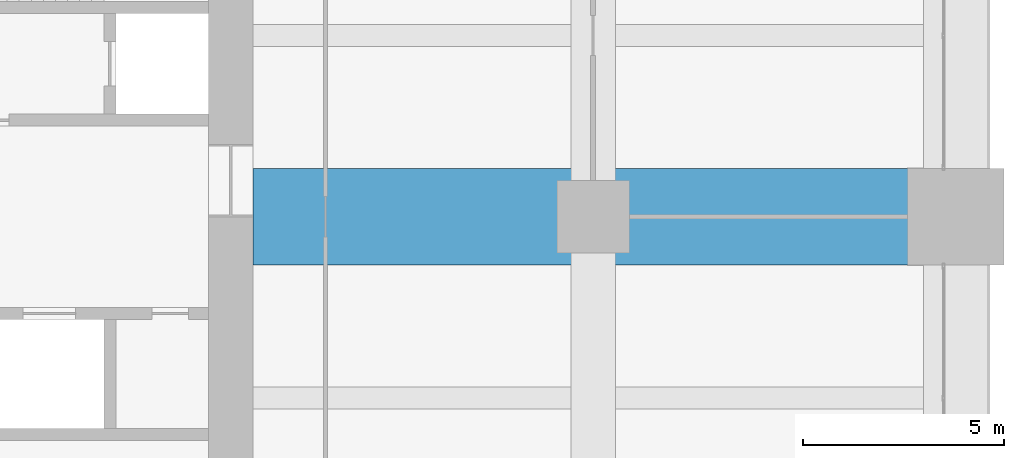
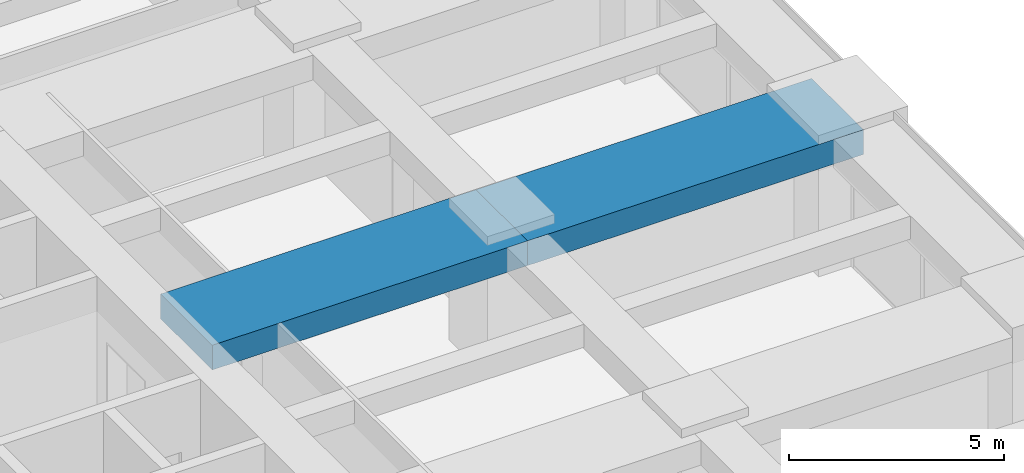
# One storey, part 22 of 43: 2 beams.
"""IFC4 building model written with IfcOpenShell, lengths in metres."""

from ifc_helpers import new_model, si_unit, direction, frame, origin, origin_2d, place, context, subcontext, project, spatial, rectangle, extrude, material, material_profile, profile_set, type_object, element, save


model = new_model("IFC4")

# Units and contexts
model_context = context("Model", 3, precision=1e-05, world=origin(), true_north=direction((0.0, 1.0)))
body_context = subcontext(model_context, "Body", "Model", "MODEL_VIEW")
ifc_project = project(units=[si_unit("LENGTHUNIT", "METRE"), si_unit("AREAUNIT", "SQUARE_METRE"), si_unit("VOLUMEUNIT", "CUBIC_METRE"), si_unit("PLANEANGLEUNIT", "RADIAN"), si_unit("MASSUNIT", "GRAM", prefix="KILO")], contexts=[model_context])

# Site, building, storey
site_placement = place(None, origin())
site = spatial("IfcSite", under=ifc_project, at=site_placement, CompositionType="ELEMENT")
building_placement = place(site_placement, origin())
building = spatial("IfcBuilding", under=site, at=building_placement, Name="Zorevar Civic Tower", CompositionType="ELEMENT")
storey_placement = place(building_placement, frame((0.0, 0.0, 141.0)))
storey = spatial("IfcBuildingStorey", under=building, at=storey_placement, Name="L34", CompositionType="ELEMENT", Elevation=141.0)

# Beams
ifc_material = material(Name="Concrete C50/60", Category="concrete")
ifc_material_profile = material_profile(ifc_material, rectangle(XDim=2.39990234375, YDim=0.699951171875, at=origin_2d()), Name="RC 2400x700")
ifc_profile_set = profile_set([ifc_material_profile], Name="Concrete C50/60")
beam_type = type_object("IfcBeamType", Name="Beam RC 2400x700", PredefinedType="BEAM", material=ifc_profile_set)
beam_1_placement = place(storey_placement, frame((45.550048828125, 27.0, 3.39990234375), z_axis=(1.0, 0.0, 0.0), x_axis=(0.0, 1.0, 0.0)))
element("IfcBeam", 1, at=beam_1_placement, inside=storey, type_object=beam_type, Name="Girder L35", PredefinedType="BEAM", context=body_context, shape_type="SweptSolid", body=[
    extrude(rectangle(XDim=2.39990234375, YDim=0.699951171875, at=origin_2d()), origin(), (0.0, 0.0, 1.0), 8.449951171875),
])
beam_2_placement = place(storey_placement, frame((54.0, 27.0, 3.39990234375), z_axis=(1.0, 0.0, 0.0), x_axis=(0.0, 1.0, 0.0)))
element("IfcBeam", 2, at=beam_2_placement, inside=storey, type_object=beam_type, Name="Girder L35", PredefinedType="BEAM", context=body_context, shape_type="SweptSolid", body=[
    extrude(rectangle(XDim=2.39990234375, YDim=0.699951171875, at=origin_2d()), origin(), (0.0, 0.0, 1.0), 9.0),
])

save(model, "model.ifc")
